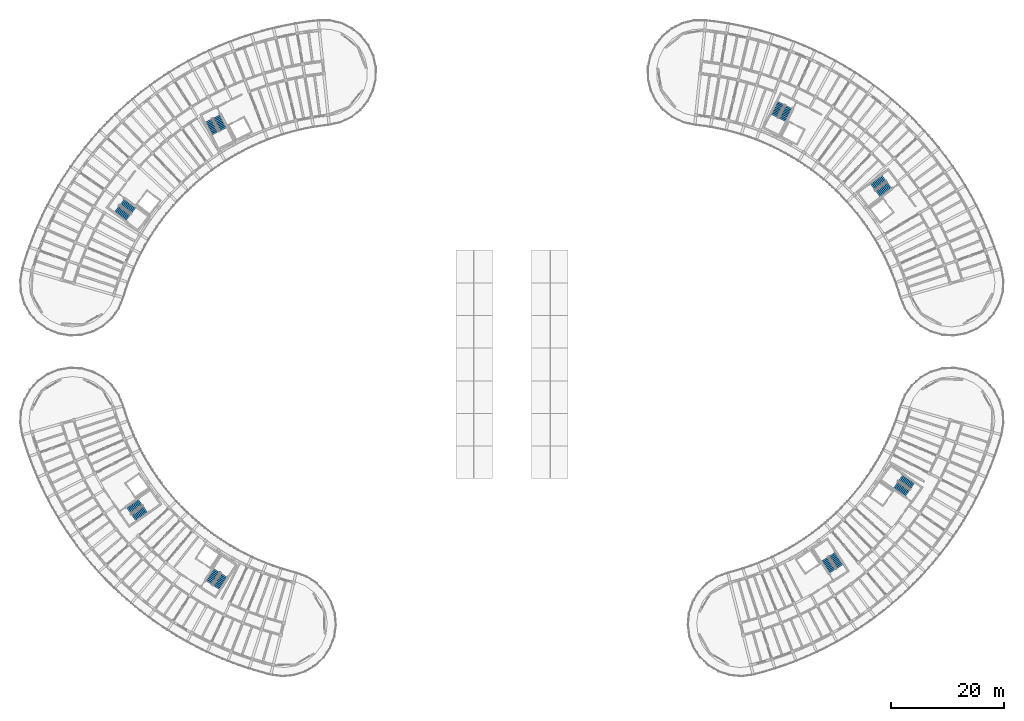
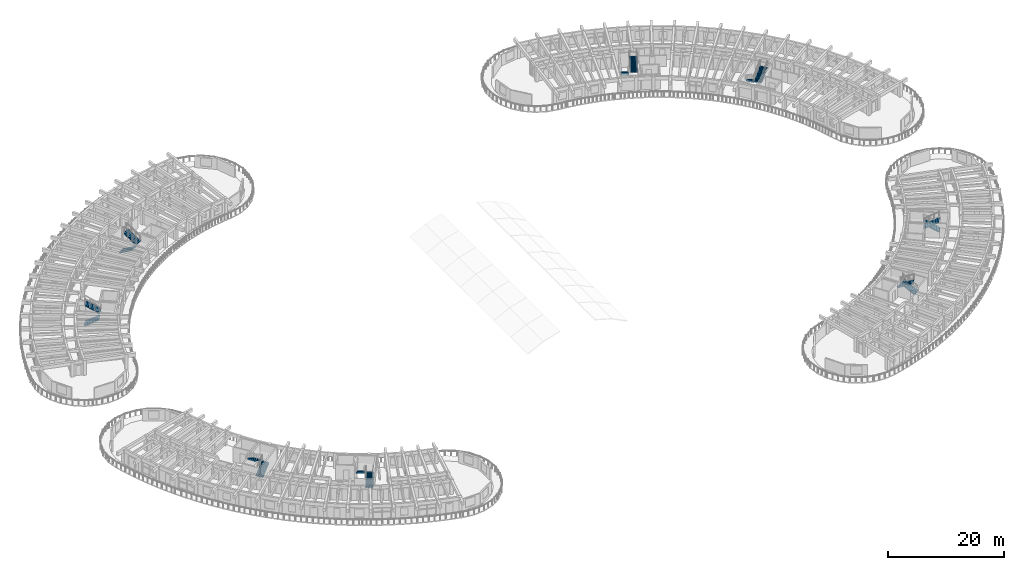
# One storey, part 74 of 96: 16 stair flights, 8 elements without a shape of their own.
"""IFC4 building model written with IfcOpenShell, lengths in metres."""

from ifc_helpers import new_model, si_unit, direction, frame, origin, place, context, subcontext, project, spatial, polyline, outline, extrude, material, layer, layer_set, type_object, element, aggregate, save


model = new_model("IFC4")

# Units and contexts
model_context = context("Model", 3, precision=1e-05, world=origin(), true_north=direction((0.0, 1.0)))
body_context = subcontext(model_context, "Body", "Model", "MODEL_VIEW")
ifc_project = project(units=[si_unit("LENGTHUNIT", "METRE"), si_unit("AREAUNIT", "SQUARE_METRE"), si_unit("VOLUMEUNIT", "CUBIC_METRE"), si_unit("PLANEANGLEUNIT", "RADIAN"), si_unit("MASSUNIT", "GRAM", prefix="KILO")], contexts=[model_context])

# Site, building, storey
site_placement = place(None, origin())
site = spatial("IfcSite", under=ifc_project, at=site_placement, CompositionType="ELEMENT")
building_placement = place(site_placement, origin())
building = spatial("IfcBuilding", under=site, at=building_placement, Name="Tanwirah Colonnade Gardens", CompositionType="ELEMENT")
storey_placement = place(building_placement, frame((0.0, 0.0, 12.199951171875)))
storey = spatial("IfcBuildingStorey", under=building, at=storey_placement, Name="L03", CompositionType="ELEMENT", Elevation=12.199951171875)

# Stair, stair flights
ifc_material = material(Name="Precast concrete C40/50", Category="concrete")
stair_type = type_object("IfcStairType", Name="ST-RES168", PredefinedType="HALF_TURN_STAIR", material=ifc_material)
stair_1_placement = place(storey_placement, origin())
stair_1 = element("IfcStair", 1, at=stair_1_placement, inside=storey, type_object=stair_type, Name="L03 Block A Core 1 Exit Stair", PredefinedType="HALF_TURN_STAIR")
ifc_layer = layer(ifc_material, 0.14990234375)
ifc_layer_set = layer_set([ifc_layer], Name="Precast concrete C40/50")
stair_flight_type = type_object("IfcStairFlightType", Name="FLT-RES150", PredefinedType="STRAIGHT", material=ifc_layer_set)
stair_flight_1_placement = place(storey_placement, frame((39.148681640625, 103.425048828125, 0.0), z_axis=(0.0, 0.0, 1.0), x_axis=(0.45399049974, -0.891006524188, 0.0)))
stair_flight_1 = element("IfcStairFlight", 2, at=stair_flight_1_placement, type_object=stair_flight_type, Name="ST-A1 flight 1", NumberOfRisers=10, NumberOfTreads=9, PredefinedType="STRAIGHT", RiserHeight=0.168, TreadLength=0.285, context=body_context, shape_type="SweptSolid", body=[
    extrude(outline(polyline([(-0.0048828125, 0.0), (0.0, 0.16796875), (0.284912109375, 0.16796875), (0.284912109375, 0.3359375), (0.570068359375, 0.3359375), (0.570068359375, 0.50390625), (0.85498046875, 0.50390625), (0.85498046875, 0.672119140625), (1.139892578125, 0.672119140625), (1.139892578125, 0.840087890625), (1.425048828125, 0.840087890625), (1.425048828125, 1.008056640625), (1.7099609375, 1.008056640625), (1.7099609375, 1.176025390625), (1.9951171875, 1.176025390625), (1.9951171875, 1.343994140625), (2.280029296875, 1.343994140625), (2.280029296875, 1.511962890625), (2.56494140625, 1.511962890625), (2.570068359375, 1.679931640625), (2.570068359375, 1.337890625), (0.30029296875, 0.0), (-0.0048828125, 0.0)])), frame((0.0, 0.68994140625, 0.0), z_axis=(0.0, -1.0, 0.0), x_axis=(1.0, 0.0, 0.0)), (0.0, 0.0, 1.0), 1.3798828125),
])
stair_flight_2_placement = place(storey_placement, frame((41.685302734375, 101.838623046875, 1.679931640625), z_axis=(0.0, 0.0, 1.0), x_axis=(-0.45399049974, 0.891006524188, 0.0)))
stair_flight_2 = element("IfcStairFlight", 3, at=stair_flight_2_placement, type_object=stair_flight_type, Name="ST-A1 flight 2", NumberOfRisers=10, NumberOfTreads=9, PredefinedType="STRAIGHT", RiserHeight=0.168, TreadLength=0.285, context=body_context, shape_type="SweptSolid", body=[
    extrude(outline(polyline([(-0.0048828125, 0.0), (0.0, 0.16796875), (0.284912109375, 0.16796875), (0.284912109375, 0.3359375), (0.570068359375, 0.3359375), (0.570068359375, 0.50390625), (0.85498046875, 0.50390625), (0.85498046875, 0.672119140625), (1.139892578125, 0.672119140625), (1.139892578125, 0.840087890625), (1.425048828125, 0.840087890625), (1.425048828125, 1.008056640625), (1.7099609375, 1.008056640625), (1.7099609375, 1.176025390625), (1.9951171875, 1.176025390625), (1.9951171875, 1.343994140625), (2.280029296875, 1.343994140625), (2.280029296875, 1.511962890625), (2.56494140625, 1.511962890625), (2.570068359375, 1.679931640625), (2.570068359375, 1.337890625), (0.30029296875, 0.0), (-0.0048828125, 0.0)])), frame((0.0, 0.68994140625, 0.0), z_axis=(0.0, -1.0, 0.0), x_axis=(1.0, 0.0, 0.0)), (0.0, 0.0, 1.0), 1.3798828125),
])
aggregate(stair_1, [stair_flight_1, stair_flight_2])

stair_2_placement = place(storey_placement, origin())
stair_2 = element("IfcStair", 4, at=stair_2_placement, inside=storey, type_object=stair_type, Name="L03 Block A Core 2 Exit Stair", PredefinedType="HALF_TURN_STAIR")
stair_flight_3_placement = place(storey_placement, frame((22.81640625, 87.7177734375, 0.0), z_axis=(0.0, 0.0, 1.0), x_axis=(0.798635510047, -0.601815023152, 0.0)))
stair_flight_3 = element("IfcStairFlight", 5, at=stair_flight_3_placement, type_object=stair_flight_type, Name="ST-A2 flight 1", NumberOfRisers=10, NumberOfTreads=9, PredefinedType="STRAIGHT", RiserHeight=0.168, TreadLength=0.285, context=body_context, shape_type="SweptSolid", body=[
    extrude(outline(polyline([(-0.0048828125, 0.0), (0.0, 0.16796875), (0.284912109375, 0.16796875), (0.284912109375, 0.3359375), (0.570068359375, 0.3359375), (0.570068359375, 0.50390625), (0.85498046875, 0.50390625), (0.85498046875, 0.672119140625), (1.139892578125, 0.672119140625), (1.139892578125, 0.840087890625), (1.425048828125, 0.840087890625), (1.425048828125, 1.008056640625), (1.7099609375, 1.008056640625), (1.7099609375, 1.176025390625), (1.9951171875, 1.176025390625), (1.9951171875, 1.343994140625), (2.280029296875, 1.343994140625), (2.280029296875, 1.511962890625), (2.56494140625, 1.511962890625), (2.570068359375, 1.679931640625), (2.570068359375, 1.337890625), (0.30029296875, 0.0), (-0.0048828125, 0.0)])), frame((0.0, 0.68994140625, 0.0), z_axis=(0.0, -1.0, 0.0), x_axis=(1.0, 0.0, 0.0)), (0.0, 0.0, 1.0), 1.3798828125),
])
stair_flight_4_placement = place(storey_placement, frame((25.791748046875, 87.404052734375, 1.679931640625), z_axis=(0.0, 0.0, 1.0), x_axis=(-0.798635510047, 0.601815023152, 0.0)))
stair_flight_4 = element("IfcStairFlight", 6, at=stair_flight_4_placement, type_object=stair_flight_type, Name="ST-A2 flight 2", NumberOfRisers=10, NumberOfTreads=9, PredefinedType="STRAIGHT", RiserHeight=0.168, TreadLength=0.285, context=body_context, shape_type="SweptSolid", body=[
    extrude(outline(polyline([(-0.0048828125, 0.0), (0.0, 0.16796875), (0.284912109375, 0.16796875), (0.284912109375, 0.3359375), (0.570068359375, 0.3359375), (0.570068359375, 0.50390625), (0.85498046875, 0.50390625), (0.85498046875, 0.672119140625), (1.139892578125, 0.672119140625), (1.139892578125, 0.840087890625), (1.425048828125, 0.840087890625), (1.425048828125, 1.008056640625), (1.7099609375, 1.008056640625), (1.7099609375, 1.176025390625), (1.9951171875, 1.176025390625), (1.9951171875, 1.343994140625), (2.280029296875, 1.343994140625), (2.280029296875, 1.511962890625), (2.56494140625, 1.511962890625), (2.570068359375, 1.679931640625), (2.570068359375, 1.337890625), (0.30029296875, 0.0), (-0.0048828125, 0.0)])), frame((0.0, 0.68994140625, 0.0), z_axis=(0.0, -1.0, 0.0), x_axis=(1.0, 0.0, 0.0)), (0.0, 0.0, 1.0), 1.3798828125),
])
aggregate(stair_2, [stair_flight_3, stair_flight_4])

stair_3_placement = place(storey_placement, origin())
stair_3 = element("IfcStair", 7, at=stair_3_placement, inside=storey, type_object=stair_type, Name="L03 Block B Core 1 Exit Stair", PredefinedType="HALF_TURN_STAIR")
stair_flight_5_placement = place(storey_placement, frame((159.079345703125, 93.16455078125, 0.0), z_axis=(0.0, 0.0, 1.0), x_axis=(-0.798635510047, -0.601815023152, 0.0)))
stair_flight_5 = element("IfcStairFlight", 8, at=stair_flight_5_placement, type_object=stair_flight_type, Name="ST-B1 flight 1", NumberOfRisers=10, NumberOfTreads=9, PredefinedType="STRAIGHT", RiserHeight=0.168, TreadLength=0.285, context=body_context, shape_type="SweptSolid", body=[
    extrude(outline(polyline([(-0.0048828125, 0.0), (0.0, 0.16796875), (0.284912109375, 0.16796875), (0.284912109375, 0.3359375), (0.570068359375, 0.3359375), (0.570068359375, 0.50390625), (0.85498046875, 0.50390625), (0.85498046875, 0.672119140625), (1.139892578125, 0.672119140625), (1.139892578125, 0.840087890625), (1.425048828125, 0.840087890625), (1.425048828125, 1.008056640625), (1.7099609375, 1.008056640625), (1.7099609375, 1.176025390625), (1.9951171875, 1.176025390625), (1.9951171875, 1.343994140625), (2.280029296875, 1.343994140625), (2.280029296875, 1.511962890625), (2.56494140625, 1.511962890625), (2.570068359375, 1.679931640625), (2.570068359375, 1.337890625), (0.30029296875, 0.0), (-0.0048828125, 0.0)])), frame((0.0, 0.68994140625, 0.0), z_axis=(0.0, -1.0, 0.0), x_axis=(1.0, 0.0, 0.0)), (0.0, 0.0, 1.0), 1.3798828125),
])
stair_flight_6_placement = place(storey_placement, frame((157.95751953125, 90.39111328125, 1.679931640625), z_axis=(0.0, 0.0, 1.0), x_axis=(0.798635510047, 0.601815023152, 0.0)))
stair_flight_6 = element("IfcStairFlight", 9, at=stair_flight_6_placement, type_object=stair_flight_type, Name="ST-B1 flight 2", NumberOfRisers=10, NumberOfTreads=9, PredefinedType="STRAIGHT", RiserHeight=0.168, TreadLength=0.285, context=body_context, shape_type="SweptSolid", body=[
    extrude(outline(polyline([(-0.0048828125, 0.0), (0.0, 0.16796875), (0.284912109375, 0.16796875), (0.284912109375, 0.3359375), (0.570068359375, 0.3359375), (0.570068359375, 0.50390625), (0.85498046875, 0.50390625), (0.85498046875, 0.672119140625), (1.139892578125, 0.672119140625), (1.139892578125, 0.840087890625), (1.425048828125, 0.840087890625), (1.425048828125, 1.008056640625), (1.7099609375, 1.008056640625), (1.7099609375, 1.176025390625), (1.9951171875, 1.176025390625), (1.9951171875, 1.343994140625), (2.280029296875, 1.343994140625), (2.280029296875, 1.511962890625), (2.56494140625, 1.511962890625), (2.570068359375, 1.679931640625), (2.570068359375, 1.337890625), (0.30029296875, 0.0), (-0.0048828125, 0.0)])), frame((0.0, 0.68994140625, 0.0), z_axis=(0.0, -1.0, 0.0), x_axis=(1.0, 0.0, 0.0)), (0.0, 0.0, 1.0), 1.3798828125),
])
aggregate(stair_3, [stair_flight_5, stair_flight_6])

stair_4_placement = place(storey_placement, origin())
stair_4 = element("IfcStair", 10, at=stair_4_placement, inside=storey, type_object=stair_type, Name="L03 Block B Core 2 Exit Stair", PredefinedType="HALF_TURN_STAIR")
stair_flight_7_placement = place(storey_placement, frame((140.774658203125, 106.521240234375, 0.0), z_axis=(0.0, 0.0, 1.0), x_axis=(-0.45399049974, -0.891006524188, 0.0)))
stair_flight_7 = element("IfcStairFlight", 11, at=stair_flight_7_placement, type_object=stair_flight_type, Name="ST-B2 flight 1", NumberOfRisers=10, NumberOfTreads=9, PredefinedType="STRAIGHT", RiserHeight=0.168, TreadLength=0.285, context=body_context, shape_type="SweptSolid", body=[
    extrude(outline(polyline([(-0.0048828125, 0.0), (0.0, 0.16796875), (0.284912109375, 0.16796875), (0.284912109375, 0.3359375), (0.570068359375, 0.3359375), (0.570068359375, 0.50390625), (0.85498046875, 0.50390625), (0.85498046875, 0.672119140625), (1.139892578125, 0.672119140625), (1.139892578125, 0.840087890625), (1.425048828125, 0.840087890625), (1.425048828125, 1.008056640625), (1.7099609375, 1.008056640625), (1.7099609375, 1.176025390625), (1.9951171875, 1.176025390625), (1.9951171875, 1.343994140625), (2.280029296875, 1.343994140625), (2.280029296875, 1.511962890625), (2.56494140625, 1.511962890625), (2.570068359375, 1.679931640625), (2.570068359375, 1.337890625), (0.30029296875, 0.0), (-0.0048828125, 0.0)])), frame((0.0, 0.68994140625, 0.0), z_axis=(0.0, -1.0, 0.0), x_axis=(1.0, 0.0, 0.0)), (0.0, 0.0, 1.0), 1.3798828125),
])
stair_flight_8_placement = place(storey_placement, frame((140.982421875, 103.53662109375, 1.679931640625), z_axis=(0.0, 0.0, 1.0), x_axis=(0.45399049974, 0.891006524188, 0.0)))
stair_flight_8 = element("IfcStairFlight", 12, at=stair_flight_8_placement, type_object=stair_flight_type, Name="ST-B2 flight 2", NumberOfRisers=10, NumberOfTreads=9, PredefinedType="STRAIGHT", RiserHeight=0.168, TreadLength=0.285, context=body_context, shape_type="SweptSolid", body=[
    extrude(outline(polyline([(-0.0048828125, 0.0), (0.0, 0.16796875), (0.284912109375, 0.16796875), (0.284912109375, 0.3359375), (0.570068359375, 0.3359375), (0.570068359375, 0.50390625), (0.85498046875, 0.50390625), (0.85498046875, 0.672119140625), (1.139892578125, 0.672119140625), (1.139892578125, 0.840087890625), (1.425048828125, 0.840087890625), (1.425048828125, 1.008056640625), (1.7099609375, 1.008056640625), (1.7099609375, 1.176025390625), (1.9951171875, 1.176025390625), (1.9951171875, 1.343994140625), (2.280029296875, 1.343994140625), (2.280029296875, 1.511962890625), (2.56494140625, 1.511962890625), (2.570068359375, 1.679931640625), (2.570068359375, 1.337890625), (0.30029296875, 0.0), (-0.0048828125, 0.0)])), frame((0.0, 0.68994140625, 0.0), z_axis=(0.0, -1.0, 0.0), x_axis=(1.0, 0.0, 0.0)), (0.0, 0.0, 1.0), 1.3798828125),
])
aggregate(stair_4, [stair_flight_7, stair_flight_8])

stair_5_placement = place(storey_placement, origin())
stair_5 = element("IfcStair", 13, at=stair_5_placement, inside=storey, type_object=stair_type, Name="L03 Block C Core 1 Exit Stair", PredefinedType="HALF_TURN_STAIR")
stair_flight_9_placement = place(storey_placement, frame((25.79345703125, 32.884521484375, 0.0), z_axis=(0.0, 0.0, 1.0), x_axis=(0.819152044289, 0.573576436351, 0.0)))
stair_flight_9 = element("IfcStairFlight", 14, at=stair_flight_9_placement, type_object=stair_flight_type, Name="ST-C1 flight 1", NumberOfRisers=10, NumberOfTreads=9, PredefinedType="STRAIGHT", RiserHeight=0.168, TreadLength=0.285, context=body_context, shape_type="SweptSolid", body=[
    extrude(outline(polyline([(-0.0048828125, 0.0), (0.0, 0.16796875), (0.284912109375, 0.16796875), (0.284912109375, 0.3359375), (0.570068359375, 0.3359375), (0.570068359375, 0.50390625), (0.85498046875, 0.50390625), (0.85498046875, 0.672119140625), (1.139892578125, 0.672119140625), (1.139892578125, 0.840087890625), (1.425048828125, 0.840087890625), (1.425048828125, 1.008056640625), (1.7099609375, 1.008056640625), (1.7099609375, 1.176025390625), (1.9951171875, 1.176025390625), (1.9951171875, 1.343994140625), (2.280029296875, 1.343994140625), (2.280029296875, 1.511962890625), (2.56494140625, 1.511962890625), (2.570068359375, 1.679931640625), (2.570068359375, 1.337890625), (0.30029296875, 0.0), (-0.0048828125, 0.0)])), frame((0.0, 0.68994140625, 0.0), z_axis=(0.0, -1.0, 0.0), x_axis=(1.0, 0.0, 0.0)), (0.0, 0.0, 1.0), 1.3798828125),
])
stair_flight_10_placement = place(storey_placement, frame((27.01123046875, 35.6171875, 1.679931640625), z_axis=(0.0, 0.0, 1.0), x_axis=(-0.819152044289, -0.573576436351, 0.0)))
stair_flight_10 = element("IfcStairFlight", 15, at=stair_flight_10_placement, type_object=stair_flight_type, Name="ST-C1 flight 2", NumberOfRisers=10, NumberOfTreads=9, PredefinedType="STRAIGHT", RiserHeight=0.168, TreadLength=0.285, context=body_context, shape_type="SweptSolid", body=[
    extrude(outline(polyline([(-0.0048828125, 0.0), (0.0, 0.16796875), (0.284912109375, 0.16796875), (0.284912109375, 0.3359375), (0.570068359375, 0.3359375), (0.570068359375, 0.50390625), (0.85498046875, 0.50390625), (0.85498046875, 0.672119140625), (1.139892578125, 0.672119140625), (1.139892578125, 0.840087890625), (1.425048828125, 0.840087890625), (1.425048828125, 1.008056640625), (1.7099609375, 1.008056640625), (1.7099609375, 1.176025390625), (1.9951171875, 1.176025390625), (1.9951171875, 1.343994140625), (2.280029296875, 1.343994140625), (2.280029296875, 1.511962890625), (2.56494140625, 1.511962890625), (2.570068359375, 1.679931640625), (2.570068359375, 1.337890625), (0.30029296875, 0.0), (-0.0048828125, 0.0)])), frame((0.0, 0.68994140625, 0.0), z_axis=(0.0, -1.0, 0.0), x_axis=(1.0, 0.0, 0.0)), (0.0, 0.0, 1.0), 1.3798828125),
])
aggregate(stair_5, [stair_flight_9, stair_flight_10])

stair_6_placement = place(storey_placement, origin())
stair_6 = element("IfcStair", 16, at=stair_6_placement, inside=storey, type_object=stair_type, Name="L03 Block C Core 2 Exit Stair", PredefinedType="HALF_TURN_STAIR")
stair_flight_11_placement = place(storey_placement, frame((40.49169921875, 20.49951171875, 0.0), z_axis=(0.0, 0.0, 1.0), x_axis=(0.544639035015, 0.838670567945, 0.0)))
stair_flight_11 = element("IfcStairFlight", 17, at=stair_flight_11_placement, type_object=stair_flight_type, Name="ST-C2 flight 1", NumberOfRisers=10, NumberOfTreads=9, PredefinedType="STRAIGHT", RiserHeight=0.168, TreadLength=0.285, context=body_context, shape_type="SweptSolid", body=[
    extrude(outline(polyline([(-0.0048828125, 0.0), (0.0, 0.16796875), (0.284912109375, 0.16796875), (0.284912109375, 0.3359375), (0.570068359375, 0.3359375), (0.570068359375, 0.50390625), (0.85498046875, 0.50390625), (0.85498046875, 0.672119140625), (1.139892578125, 0.672119140625), (1.139892578125, 0.840087890625), (1.425048828125, 0.840087890625), (1.425048828125, 1.008056640625), (1.7099609375, 1.008056640625), (1.7099609375, 1.176025390625), (1.9951171875, 1.176025390625), (1.9951171875, 1.343994140625), (2.280029296875, 1.343994140625), (2.280029296875, 1.511962890625), (2.56494140625, 1.511962890625), (2.570068359375, 1.679931640625), (2.570068359375, 1.337890625), (0.30029296875, 0.0), (-0.0048828125, 0.0)])), frame((0.0, 0.68994140625, 0.0), z_axis=(0.0, -1.0, 0.0), x_axis=(1.0, 0.0, 0.0)), (0.0, 0.0, 1.0), 1.3798828125),
])
stair_flight_12_placement = place(storey_placement, frame((40.59716796875, 23.489501953125, 1.679931640625), z_axis=(0.0, 0.0, 1.0), x_axis=(-0.544639035015, -0.838670567945, 0.0)))
stair_flight_12 = element("IfcStairFlight", 18, at=stair_flight_12_placement, type_object=stair_flight_type, Name="ST-C2 flight 2", NumberOfRisers=10, NumberOfTreads=9, PredefinedType="STRAIGHT", RiserHeight=0.168, TreadLength=0.285, context=body_context, shape_type="SweptSolid", body=[
    extrude(outline(polyline([(-0.0048828125, 0.0), (0.0, 0.16796875), (0.284912109375, 0.16796875), (0.284912109375, 0.3359375), (0.570068359375, 0.3359375), (0.570068359375, 0.50390625), (0.85498046875, 0.50390625), (0.85498046875, 0.672119140625), (1.139892578125, 0.672119140625), (1.139892578125, 0.840087890625), (1.425048828125, 0.840087890625), (1.425048828125, 1.008056640625), (1.7099609375, 1.008056640625), (1.7099609375, 1.176025390625), (1.9951171875, 1.176025390625), (1.9951171875, 1.343994140625), (2.280029296875, 1.343994140625), (2.280029296875, 1.511962890625), (2.56494140625, 1.511962890625), (2.570068359375, 1.679931640625), (2.570068359375, 1.337890625), (0.30029296875, 0.0), (-0.0048828125, 0.0)])), frame((0.0, 0.68994140625, 0.0), z_axis=(0.0, -1.0, 0.0), x_axis=(1.0, 0.0, 0.0)), (0.0, 0.0, 1.0), 1.3798828125),
])
aggregate(stair_6, [stair_flight_11, stair_flight_12])

stair_7_placement = place(storey_placement, origin())
stair_7 = element("IfcStair", 19, at=stair_7_placement, inside=storey, type_object=stair_type, Name="L03 Block D Core 1 Exit Stair", PredefinedType="HALF_TURN_STAIR")
stair_flight_13_placement = place(storey_placement, frame((151.22802734375, 24.214111328125, 0.0), z_axis=(0.0, 0.0, 1.0), x_axis=(-0.544639035015, 0.838670567945, 0.0)))
stair_flight_13 = element("IfcStairFlight", 20, at=stair_flight_13_placement, type_object=stair_flight_type, Name="ST-D1 flight 1", NumberOfRisers=10, NumberOfTreads=9, PredefinedType="STRAIGHT", RiserHeight=0.168, TreadLength=0.285, context=body_context, shape_type="SweptSolid", body=[
    extrude(outline(polyline([(-0.0048828125, 0.0), (0.0, 0.16796875), (0.284912109375, 0.16796875), (0.284912109375, 0.3359375), (0.570068359375, 0.3359375), (0.570068359375, 0.50390625), (0.85498046875, 0.50390625), (0.85498046875, 0.672119140625), (1.139892578125, 0.672119140625), (1.139892578125, 0.840087890625), (1.425048828125, 0.840087890625), (1.425048828125, 1.008056640625), (1.7099609375, 1.008056640625), (1.7099609375, 1.176025390625), (1.9951171875, 1.176025390625), (1.9951171875, 1.343994140625), (2.280029296875, 1.343994140625), (2.280029296875, 1.511962890625), (2.56494140625, 1.511962890625), (2.570068359375, 1.679931640625), (2.570068359375, 1.337890625), (0.30029296875, 0.0), (-0.0048828125, 0.0)])), frame((0.0, 0.68994140625, 0.0), z_axis=(0.0, -1.0, 0.0), x_axis=(1.0, 0.0, 0.0)), (0.0, 0.0, 1.0), 1.3798828125),
])
stair_flight_14_placement = place(storey_placement, frame((148.539306640625, 25.5263671875, 1.679931640625), z_axis=(0.0, 0.0, 1.0), x_axis=(0.544639035015, -0.838670567945, 0.0)))
stair_flight_14 = element("IfcStairFlight", 21, at=stair_flight_14_placement, type_object=stair_flight_type, Name="ST-D1 flight 2", NumberOfRisers=10, NumberOfTreads=9, PredefinedType="STRAIGHT", RiserHeight=0.168, TreadLength=0.285, context=body_context, shape_type="SweptSolid", body=[
    extrude(outline(polyline([(-0.0048828125, 0.0), (0.0, 0.16796875), (0.284912109375, 0.16796875), (0.284912109375, 0.3359375), (0.570068359375, 0.3359375), (0.570068359375, 0.50390625), (0.85498046875, 0.50390625), (0.85498046875, 0.672119140625), (1.139892578125, 0.672119140625), (1.139892578125, 0.840087890625), (1.425048828125, 0.840087890625), (1.425048828125, 1.008056640625), (1.7099609375, 1.008056640625), (1.7099609375, 1.176025390625), (1.9951171875, 1.176025390625), (1.9951171875, 1.343994140625), (2.280029296875, 1.343994140625), (2.280029296875, 1.511962890625), (2.56494140625, 1.511962890625), (2.570068359375, 1.679931640625), (2.570068359375, 1.337890625), (0.30029296875, 0.0), (-0.0048828125, 0.0)])), frame((0.0, 0.68994140625, 0.0), z_axis=(0.0, -1.0, 0.0), x_axis=(1.0, 0.0, 0.0)), (0.0, 0.0, 1.0), 1.3798828125),
])
aggregate(stair_7, [stair_flight_13, stair_flight_14])

stair_8_placement = place(storey_placement, origin())
stair_8 = element("IfcStair", 22, at=stair_8_placement, inside=storey, type_object=stair_type, Name="L03 Block D Core 2 Exit Stair", PredefinedType="HALF_TURN_STAIR")
stair_flight_15_placement = place(storey_placement, frame((164.1181640625, 38.47119140625, 0.0), z_axis=(0.0, 0.0, 1.0), x_axis=(-0.819152044289, 0.573576436351, 0.0)))
stair_flight_15 = element("IfcStairFlight", 23, at=stair_flight_15_placement, type_object=stair_flight_type, Name="ST-D2 flight 1", NumberOfRisers=10, NumberOfTreads=9, PredefinedType="STRAIGHT", RiserHeight=0.168, TreadLength=0.285, context=body_context, shape_type="SweptSolid", body=[
    extrude(outline(polyline([(-0.0048828125, 0.0), (0.0, 0.16796875), (0.284912109375, 0.16796875), (0.284912109375, 0.3359375), (0.570068359375, 0.3359375), (0.570068359375, 0.50390625), (0.85498046875, 0.50390625), (0.85498046875, 0.672119140625), (1.139892578125, 0.672119140625), (1.139892578125, 0.840087890625), (1.425048828125, 0.840087890625), (1.425048828125, 1.008056640625), (1.7099609375, 1.008056640625), (1.7099609375, 1.176025390625), (1.9951171875, 1.176025390625), (1.9951171875, 1.343994140625), (2.280029296875, 1.343994140625), (2.280029296875, 1.511962890625), (2.56494140625, 1.511962890625), (2.570068359375, 1.679931640625), (2.570068359375, 1.337890625), (0.30029296875, 0.0), (-0.0048828125, 0.0)])), frame((0.0, 0.68994140625, 0.0), z_axis=(0.0, -1.0, 0.0), x_axis=(1.0, 0.0, 0.0)), (0.0, 0.0, 1.0), 1.3798828125),
])
stair_flight_16_placement = place(storey_placement, frame((161.1337890625, 38.680908203125, 1.679931640625), z_axis=(0.0, 0.0, 1.0), x_axis=(0.819152044289, -0.573576436351, 0.0)))
stair_flight_16 = element("IfcStairFlight", 24, at=stair_flight_16_placement, type_object=stair_flight_type, Name="ST-D2 flight 2", NumberOfRisers=10, NumberOfTreads=9, PredefinedType="STRAIGHT", RiserHeight=0.168, TreadLength=0.285, context=body_context, shape_type="SweptSolid", body=[
    extrude(outline(polyline([(-0.0048828125, 0.0), (0.0, 0.16796875), (0.284912109375, 0.16796875), (0.284912109375, 0.3359375), (0.570068359375, 0.3359375), (0.570068359375, 0.50390625), (0.85498046875, 0.50390625), (0.85498046875, 0.672119140625), (1.139892578125, 0.672119140625), (1.139892578125, 0.840087890625), (1.425048828125, 0.840087890625), (1.425048828125, 1.008056640625), (1.7099609375, 1.008056640625), (1.7099609375, 1.176025390625), (1.9951171875, 1.176025390625), (1.9951171875, 1.343994140625), (2.280029296875, 1.343994140625), (2.280029296875, 1.511962890625), (2.56494140625, 1.511962890625), (2.570068359375, 1.679931640625), (2.570068359375, 1.337890625), (0.30029296875, 0.0), (-0.0048828125, 0.0)])), frame((0.0, 0.68994140625, 0.0), z_axis=(0.0, -1.0, 0.0), x_axis=(1.0, 0.0, 0.0)), (0.0, 0.0, 1.0), 1.3798828125),
])
aggregate(stair_8, [stair_flight_15, stair_flight_16])

save(model, "model.ifc")
